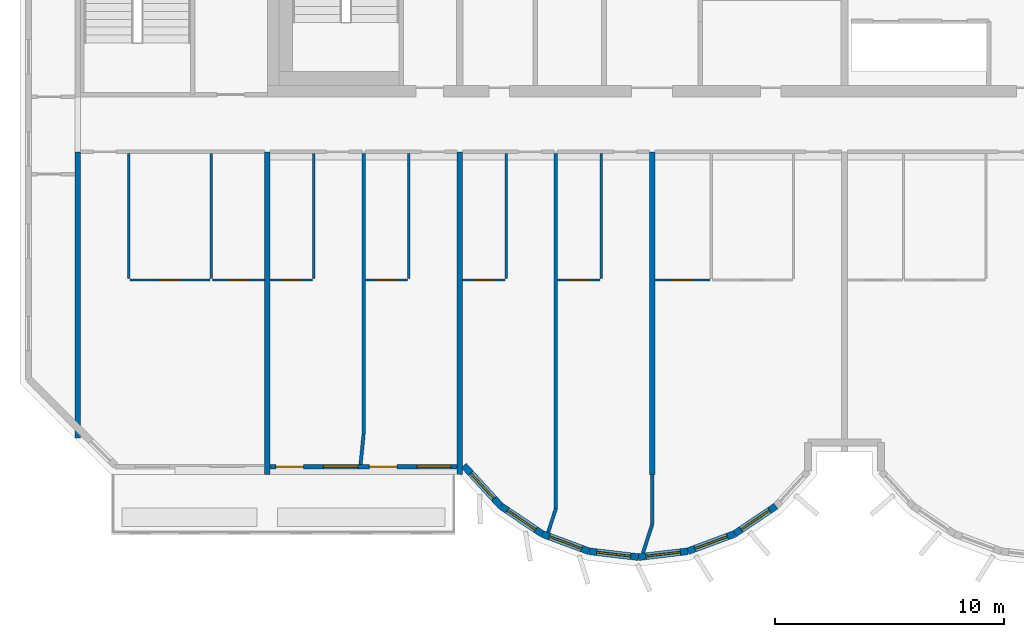
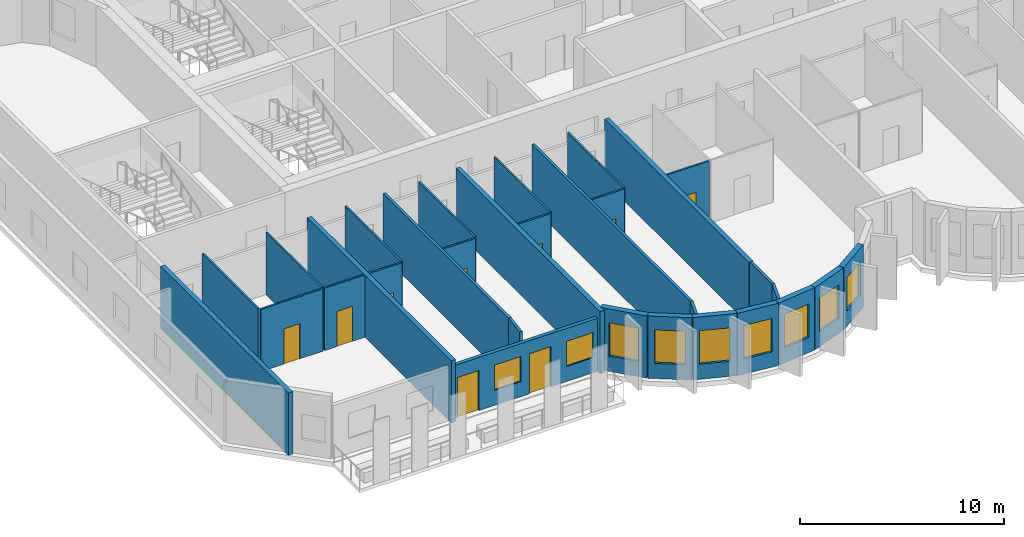
# One storey, part 2 of 12: 31 walls, 9 doors, 9 windows, 18 openings.
"""IFC4 building model written with IfcOpenShell, lengths in metres."""

from ifc_helpers import new_model, si_unit, direction, frame, frame_2d, origin, place, context, subcontext, project, spatial, rectangle, extrude, source, transform, mapped, material, layer, layer_set, type_object, element, fill, save


model = new_model("IFC4")

# Units and contexts
model_context = context("Model", 3, precision=1e-05, world=origin(), true_north=direction((0.0, 1.0)))
body_context = subcontext(model_context, "Body", "Model", "MODEL_VIEW")
ifc_project = project(units=[si_unit("LENGTHUNIT", "METRE"), si_unit("AREAUNIT", "SQUARE_METRE"), si_unit("VOLUMEUNIT", "CUBIC_METRE"), si_unit("PLANEANGLEUNIT", "RADIAN"), si_unit("MASSUNIT", "GRAM", prefix="KILO")], contexts=[model_context])

# Site, building, storey
site_placement = place(None, origin())
site = spatial("IfcSite", under=ifc_project, at=site_placement, CompositionType="ELEMENT")
building_placement = place(site_placement, origin())
building = spatial("IfcBuilding", under=site, at=building_placement, Name="Vanashikhar Sky Hotel", CompositionType="ELEMENT")
storey_placement = place(building_placement, frame((0.0, 0.0, 293.699951171875)))
storey = spatial("IfcBuildingStorey", under=building, at=storey_placement, Name="L70", CompositionType="ELEMENT", Elevation=293.699951171875)

# Walls
ifc_material_1 = material(Name="Concrete M50", Category="concrete")
ifc_layer_1 = layer(ifc_material_1, 0.25)
ifc_layer_set_1 = layer_set([ifc_layer_1], Name="RC shear wall 250 Concrete M50")
wall_type_1 = type_object("IfcWallType", Name="RC shear wall 250 Concrete M50", PredefinedType="SHEAR", material=ifc_layer_set_1)
shared_shape_1 = source(origin(), body_context, "Body", "SweptSolid", [
    extrude(rectangle(XDim=12.5, YDim=0.25, at=frame_2d((6.25, 0.0))), origin(), (0.0, 0.0, 1.0), 3.719970703125),
])
wall_1_placement = place(storey_placement, frame((16.925048828125, 7.10009765625, 0.0), z_axis=(0.0, 0.0, 1.0), x_axis=(0.0, 1.0, 0.0)))
element("IfcWall", 1, at=wall_1_placement, inside=storey, type_object=wall_type_1, Name="CW-L70-XW03-1", PredefinedType="SHEAR", context=body_context, shape_type="MappedRepresentation", body=[
    mapped(shared_shape_1, transform((0.0, 0.0, 0.0), scale=1.0)),
])
shared_shape_2 = source(origin(), body_context, "Body", "SweptSolid", [
    extrude(rectangle(XDim=14.10009765625, YDim=0.25, at=frame_2d((7.050048828125, 0.0))), origin(), (0.0, 0.0, 1.0), 3.719970703125),
])
for number, where, z_axis, x_axis, name in (
    (2, (25.199951171875, 5.5, 0.0), (0.0, 0.0, 1.0), (0.0, 1.0, 0.0), "CW-L70-XW04-1"),
    (3, (33.60009765625, 5.5, 0.0), (0.0, 0.0, 1.0), (0.0, 1.0, 0.0), "CW-L70-XW05-1"),
    (4, (42.0, 5.5, 0.0), (0.0, 0.0, 1.0), (0.0, 1.0, 0.0), "CW-L70-XW06-1"),
):
    element("IfcWall", number, at=place(storey_placement, frame(where, z_axis=z_axis, x_axis=x_axis)), inside=storey, type_object=wall_type_1, Name=name, PredefinedType="SHEAR", context=body_context, shape_type="MappedRepresentation", body=[
        mapped(shared_shape_2, transform((0.0, 0.0, 0.0), scale=1.0)),
    ])

# Wall, openings, windows, doors
ifc_layer_2 = layer(ifc_material_1, 0.199951171875)
ifc_layer_set_2 = layer_set([ifc_layer_2], Name="Front window wall 200")
wall_type_2 = type_object("IfcWallType", Name="Front window wall 200", PredefinedType="SOLIDWALL", material=ifc_layer_set_2)
shared_shape_3 = source(origin(), body_context, "Body", "SweptSolid", [
    extrude(rectangle(XDim=8.150146484375, YDim=0.199951171875, at=frame_2d((4.0751953125, 0.0))), origin(), (0.0, 0.0, 1.0), 3.170166015625),
])
wall_2_placement = place(storey_placement, frame((25.324951171875, 5.85009765625, 0.0), z_axis=(0.0, 0.0, 1.0), x_axis=(1.0, 0.0, 0.0)))
wall_2 = element("IfcWall", 5, at=wall_2_placement, inside=storey, type_object=wall_type_2, Name="Front window wall", PredefinedType="SOLIDWALL", context=body_context, shape_type="MappedRepresentation", body=[
    mapped(shared_shape_3, transform((0.0, 0.0, 0.0), scale=1.0)),
])
shared_shape_4 = source(origin(), body_context, "Body", "SweptSolid", [
    extrude(rectangle(XDim=1.199951171875, YDim=2.39990234375, at=frame_2d((0.60009765625, 1.199951171875))), frame((0.0, 0.10986328125, 0.0), z_axis=(0.0, -1.0, 0.0), x_axis=(1.0, 0.0, 0.0)), (0.0, 0.0, 1.0), 0.219970703125),
])
opening_1_placement = place(wall_2_placement, frame((0.25, 0.0, 0.0)))
opening_1 = element("IfcOpeningElement", 6, at=opening_1_placement, cuts=wall_2, Name="Opening BD-01", PredefinedType="OPENING", context=body_context, shape_type="MappedRepresentation", body=[
    mapped(shared_shape_4, transform((0.0, 0.0, 0.0), scale=1.0)),
])
shared_shape_5 = source(origin(), body_context, "Body", "SweptSolid", [
    extrude(rectangle(XDim=1.5, YDim=1.5, at=frame_2d((0.75, 0.75))), frame((0.0, 0.10986328125, 0.0), z_axis=(0.0, -1.0, 0.0), x_axis=(1.0, 0.0, 0.0)), (0.0, 0.0, 1.0), 0.219970703125),
])
opening_2_placement = place(wall_2_placement, frame((2.324951171875, 0.0, 0.89990234375)))
opening_2 = element("IfcOpeningElement", 7, at=opening_2_placement, cuts=wall_2, Name="Opening WN-1", PredefinedType="OPENING", context=body_context, shape_type="MappedRepresentation", body=[
    mapped(shared_shape_5, transform((0.0, 0.0, 0.0), scale=1.0)),
])
opening_3_placement = place(wall_2_placement, frame((4.324951171875, 0.0, 0.0)))
opening_3 = element("IfcOpeningElement", 8, at=opening_3_placement, cuts=wall_2, Name="Opening BD-02", PredefinedType="OPENING", context=body_context, shape_type="MappedRepresentation", body=[
    mapped(shared_shape_4, transform((0.0, 0.0, 0.0), scale=1.0)),
])
opening_4_placement = place(wall_2_placement, frame((6.39990234375, 0.0, 0.89990234375)))
opening_4 = element("IfcOpeningElement", 9, at=opening_4_placement, cuts=wall_2, Name="Opening WN-1", PredefinedType="OPENING", context=body_context, shape_type="MappedRepresentation", body=[
    mapped(shared_shape_5, transform((0.0, 0.0, 0.0), scale=1.0)),
])
ifc_material_2 = material(Name="Glass", Category="glass")
window_type_1 = type_object("IfcWindowType", Name="Window 1500 x 1500", PartitioningType="SINGLE_PANEL", PredefinedType="WINDOW", material=ifc_material_2)
shared_shape_6 = source(origin(), body_context, "Body", "SweptSolid", [
    extrude(rectangle(XDim=1.5, YDim=1.5, at=frame_2d((0.75, 0.75))), frame((0.0, 0.030029296875, 0.0), z_axis=(0.0, -1.0, 0.0), x_axis=(1.0, 0.0, 0.0)), (0.0, 0.0, 1.0), 0.06005859375),
])
window_1_placement = place(opening_2_placement, origin())
window_1 = element("IfcWindow", 10, at=window_1_placement, inside=storey, type_object=window_type_1, Name="Window WN-1", OverallHeight=1.5, OverallWidth=1.5, PartitioningType="SINGLE_PANEL", PredefinedType="WINDOW", context=body_context, shape_type="MappedRepresentation", body=[
    mapped(shared_shape_6, transform((0.0, 0.0, 0.0), scale=1.0)),
])
fill(opening_2, window_1)
window_2_placement = place(opening_4_placement, origin())
window_2 = element("IfcWindow", 11, at=window_2_placement, inside=storey, type_object=window_type_1, Name="Window WN-1", OverallHeight=1.5, OverallWidth=1.5, PartitioningType="SINGLE_PANEL", PredefinedType="WINDOW", context=body_context, shape_type="MappedRepresentation", body=[
    mapped(shared_shape_6, transform((0.0, 0.0, 0.0), scale=1.0)),
])
fill(opening_4, window_2)
ifc_material_3 = material(Name="Aluminium", Category="aluminium")
door_type_1 = type_object("IfcDoorType", Name="Balcony sliding door 1200 x 2400", OperationType="NOTDEFINED", PredefinedType="DOOR", material=ifc_material_3)
shared_shape_7 = source(origin(), body_context, "Body", "SweptSolid", [
    extrude(rectangle(XDim=1.199951171875, YDim=2.39990234375, at=frame_2d((0.60009765625, 1.199951171875))), frame((0.0, 0.02490234375, 0.0), z_axis=(0.0, -1.0, 0.0), x_axis=(1.0, 0.0, 0.0)), (0.0, 0.0, 1.0), 0.050048828125),
])
door_1_placement = place(opening_1_placement, origin())
door_1 = element("IfcDoor", 12, at=door_1_placement, inside=storey, type_object=door_type_1, Name="Balcony sliding door", OperationType="SLIDING_TO_LEFT", OverallHeight=2.39990234375, OverallWidth=1.199951171875, PredefinedType="DOOR", context=body_context, shape_type="MappedRepresentation", body=[
    mapped(shared_shape_7, transform((0.0, 0.0, 0.0), scale=1.0)),
])
fill(opening_1, door_1)
door_2_placement = place(opening_3_placement, origin())
door_2 = element("IfcDoor", 13, at=door_2_placement, inside=storey, type_object=door_type_1, Name="Balcony sliding door", OperationType="SLIDING_TO_RIGHT", OverallHeight=2.39990234375, OverallWidth=1.199951171875, PredefinedType="DOOR", context=body_context, shape_type="MappedRepresentation", body=[
    mapped(shared_shape_7, transform((0.0, 0.0, 0.0), scale=1.0)),
])
fill(opening_3, door_2)

# Wall, opening, window
ifc_layer_3 = layer(ifc_material_1, 0.300048828125)
ifc_layer_set_3 = layer_set([ifc_layer_3], Name="Lobe wall 300")
wall_type_3 = type_object("IfcWallType", Name="Lobe wall 300", PredefinedType="SOLIDWALL", material=ifc_layer_set_3)
shared_shape_8 = source(origin(), body_context, "Body", "SweptSolid", [
    extrude(rectangle(XDim=2.398193359375, YDim=0.300048828125, at=frame_2d((1.19921875, 0.0))), origin(), (0.0, 0.0, 1.0), 3.719970703125),
])
wall_3_placement = place(storey_placement, frame((33.776123046875, 5.89990234375, 0.0), z_axis=(0.0, 0.0, 1.0), x_axis=(0.675374189419, -0.737475222815, 0.0)))
wall_3 = element("IfcWall", 14, at=wall_3_placement, inside=storey, type_object=wall_type_3, Name="Lobe wall", PredefinedType="SOLIDWALL", context=body_context, shape_type="MappedRepresentation", body=[
    mapped(shared_shape_8, transform((0.0, 0.0, 0.0), scale=1.0)),
])
shared_shape_9 = source(origin(), body_context, "Body", "SweptSolid", [
    extrude(rectangle(XDim=1.5, YDim=2.0, at=frame_2d((0.75, 1.0))), frame((0.0, 0.16015625, 0.0), z_axis=(0.0, -1.0, 0.0), x_axis=(1.0, 0.0, 0.0)), (0.0, 0.0, 1.0), 0.320068359375),
])
opening_5_placement = place(wall_3_placement, frame((0.44921875, 0.0, 0.89990234375)))
opening_5 = element("IfcOpeningElement", 15, at=opening_5_placement, cuts=wall_3, Name="Opening WN-2", PredefinedType="OPENING", context=body_context, shape_type="MappedRepresentation", body=[
    mapped(shared_shape_9, transform((0.0, 0.0, 0.0), scale=1.0)),
])
window_type_2 = type_object("IfcWindowType", Name="Lobe window 1500 x 2000", PartitioningType="SINGLE_PANEL", PredefinedType="WINDOW", material=ifc_material_2)
shared_shape_10 = source(origin(), body_context, "Body", "SweptSolid", [
    extrude(rectangle(XDim=1.5, YDim=2.0, at=frame_2d((0.75, 1.0))), frame((0.0, 0.030029296875, 0.0), z_axis=(0.0, -1.0, 0.0), x_axis=(1.0, 0.0, 0.0)), (0.0, 0.0, 1.0), 0.06005859375),
])
window_3_placement = place(opening_5_placement, origin())
window_3 = element("IfcWindow", 16, at=window_3_placement, inside=storey, type_object=window_type_2, Name="Window WN-2", OverallHeight=2.0, OverallWidth=1.5, PartitioningType="SINGLE_PANEL", PredefinedType="WINDOW", context=body_context, shape_type="MappedRepresentation", body=[
    mapped(shared_shape_10, transform((0.0, 0.0, 0.0), scale=1.0)),
])
fill(opening_5, window_3)

shared_shape_11 = source(origin(), body_context, "Body", "SweptSolid", [
    extrude(rectangle(XDim=2.17578125, YDim=0.300048828125, at=frame_2d((1.087890625, 0.0))), origin(), (0.0, 0.0, 1.0), 3.719970703125),
])
wall_4_placement = place(storey_placement, frame((35.395751953125, 4.13134765625, 0.0), z_axis=(0.0, 0.0, 1.0), x_axis=(0.829590746428, -0.558371913192, 0.0)))
wall_4 = element("IfcWall", 17, at=wall_4_placement, inside=storey, type_object=wall_type_3, Name="Lobe wall", PredefinedType="SOLIDWALL", context=body_context, shape_type="MappedRepresentation", body=[
    mapped(shared_shape_11, transform((0.0, 0.0, 0.0), scale=1.0)),
])
opening_6_placement = place(wall_4_placement, frame((0.337890625, 0.0, 0.89990234375)))
opening_6 = element("IfcOpeningElement", 18, at=opening_6_placement, cuts=wall_4, Name="Opening WN-2", PredefinedType="OPENING", context=body_context, shape_type="MappedRepresentation", body=[
    mapped(shared_shape_9, transform((0.0, 0.0, 0.0), scale=1.0)),
])
window_4_placement = place(opening_6_placement, origin())
window_4 = element("IfcWindow", 19, at=window_4_placement, inside=storey, type_object=window_type_2, Name="Window WN-2", OverallHeight=2.0, OverallWidth=1.5, PartitioningType="SINGLE_PANEL", PredefinedType="WINDOW", context=body_context, shape_type="MappedRepresentation", body=[
    mapped(shared_shape_10, transform((0.0, 0.0, 0.0), scale=1.0)),
])
fill(opening_6, window_4)

wall_5_placement = place(storey_placement, frame((37.20068359375, 2.91650390625, 0.0), z_axis=(0.0, 0.0, 1.0), x_axis=(0.93754555999, -0.347862505801, 0.0)))
wall_5 = element("IfcWall", 20, at=wall_5_placement, inside=storey, type_object=wall_type_3, Name="Lobe wall", PredefinedType="SOLIDWALL", context=body_context, shape_type="MappedRepresentation", body=[
    mapped(shared_shape_11, transform((0.0, 0.0, 0.0), scale=1.0)),
])
opening_7_placement = place(wall_5_placement, frame((0.337890625, 0.0, 0.89990234375)))
opening_7 = element("IfcOpeningElement", 21, at=opening_7_placement, cuts=wall_5, Name="Opening WN-2", PredefinedType="OPENING", context=body_context, shape_type="MappedRepresentation", body=[
    mapped(shared_shape_9, transform((0.0, 0.0, 0.0), scale=1.0)),
])
window_5_placement = place(opening_7_placement, origin())
window_5 = element("IfcWindow", 22, at=window_5_placement, inside=storey, type_object=window_type_2, Name="Window WN-2", OverallHeight=2.0, OverallWidth=1.5, PartitioningType="SINGLE_PANEL", PredefinedType="WINDOW", context=body_context, shape_type="MappedRepresentation", body=[
    mapped(shared_shape_10, transform((0.0, 0.0, 0.0), scale=1.0)),
])
fill(opening_7, window_5)

wall_6_placement = place(storey_placement, frame((45.59912109375, 2.91650390625, 0.0), z_axis=(0.0, 0.0, 1.0), x_axis=(0.829625727223, 0.558319937607, 0.0)))
wall_6 = element("IfcWall", 23, at=wall_6_placement, inside=storey, type_object=wall_type_3, Name="Lobe wall", PredefinedType="SOLIDWALL", context=body_context, shape_type="MappedRepresentation", body=[
    mapped(shared_shape_11, transform((0.0, 0.0, 0.0), scale=1.0)),
])
opening_8_placement = place(wall_6_placement, frame((0.337890625, 0.0, 0.89990234375)))
opening_8 = element("IfcOpeningElement", 24, at=opening_8_placement, cuts=wall_6, Name="Opening WN-2", PredefinedType="OPENING", context=body_context, shape_type="MappedRepresentation", body=[
    mapped(shared_shape_9, transform((0.0, 0.0, 0.0), scale=1.0)),
])
window_6_placement = place(opening_8_placement, origin())
window_6 = element("IfcWindow", 25, at=window_6_placement, inside=storey, type_object=window_type_2, Name="Window WN-2", OverallHeight=2.0, OverallWidth=1.5, PartitioningType="SINGLE_PANEL", PredefinedType="WINDOW", context=body_context, shape_type="MappedRepresentation", body=[
    mapped(shared_shape_10, transform((0.0, 0.0, 0.0), scale=1.0)),
])
fill(opening_8, window_6)

shared_shape_12 = source(origin(), body_context, "Body", "SweptSolid", [
    extrude(rectangle(XDim=2.174560546875, YDim=0.300048828125, at=frame_2d((1.08740234375, 0.0))), origin(), (0.0, 0.0, 1.0), 3.719970703125),
])
wall_7_placement = place(storey_placement, frame((39.240478515625, 2.15966796875, 0.0), z_axis=(0.0, 0.0, 1.0), x_axis=(0.993001132889, -0.118104826659, 0.0)))
wall_7 = element("IfcWall", 26, at=wall_7_placement, inside=storey, type_object=wall_type_3, Name="Lobe wall", PredefinedType="SOLIDWALL", context=body_context, shape_type="MappedRepresentation", body=[
    mapped(shared_shape_12, transform((0.0, 0.0, 0.0), scale=1.0)),
])
opening_9_placement = place(wall_7_placement, frame((0.33740234375, 0.0, 0.89990234375)))
opening_9 = element("IfcOpeningElement", 27, at=opening_9_placement, cuts=wall_7, Name="Opening WN-2", PredefinedType="OPENING", context=body_context, shape_type="MappedRepresentation", body=[
    mapped(shared_shape_9, transform((0.0, 0.0, 0.0), scale=1.0)),
])
window_7_placement = place(opening_9_placement, origin())
window_7 = element("IfcWindow", 28, at=window_7_placement, inside=storey, type_object=window_type_2, Name="Window WN-2", OverallHeight=2.0, OverallWidth=1.5, PartitioningType="SINGLE_PANEL", PredefinedType="WINDOW", context=body_context, shape_type="MappedRepresentation", body=[
    mapped(shared_shape_10, transform((0.0, 0.0, 0.0), scale=1.0)),
])
fill(opening_9, window_7)

shared_shape_13 = source(origin(), body_context, "Body", "SweptSolid", [
    extrude(rectangle(XDim=2.1748046875, YDim=0.300048828125, at=frame_2d((1.08740234375, 0.0))), origin(), (0.0, 0.0, 1.0), 3.719970703125),
])
wall_8_placement = place(storey_placement, frame((41.39990234375, 1.90283203125, 0.0), z_axis=(0.0, 0.0, 1.0), x_axis=(0.993002698611, 0.118091661648, 0.0)))
wall_8 = element("IfcWall", 29, at=wall_8_placement, inside=storey, type_object=wall_type_3, Name="Lobe wall", PredefinedType="SOLIDWALL", context=body_context, shape_type="MappedRepresentation", body=[
    mapped(shared_shape_13, transform((0.0, 0.0, 0.0), scale=1.0)),
])
opening_10_placement = place(wall_8_placement, frame((0.33740234375, 0.0, 0.89990234375)))
opening_10 = element("IfcOpeningElement", 30, at=opening_10_placement, cuts=wall_8, Name="Opening WN-2", PredefinedType="OPENING", context=body_context, shape_type="MappedRepresentation", body=[
    mapped(shared_shape_9, transform((0.0, 0.0, 0.0), scale=1.0)),
])
window_8_placement = place(opening_10_placement, origin())
window_8 = element("IfcWindow", 31, at=window_8_placement, inside=storey, type_object=window_type_2, Name="Window WN-2", OverallHeight=2.0, OverallWidth=1.5, PartitioningType="SINGLE_PANEL", PredefinedType="WINDOW", context=body_context, shape_type="MappedRepresentation", body=[
    mapped(shared_shape_10, transform((0.0, 0.0, 0.0), scale=1.0)),
])
fill(opening_10, window_8)

shared_shape_14 = source(origin(), body_context, "Body", "SweptSolid", [
    extrude(rectangle(XDim=2.175537109375, YDim=0.300048828125, at=frame_2d((1.087890625, 0.0))), origin(), (0.0, 0.0, 1.0), 3.719970703125),
])
wall_9_placement = place(storey_placement, frame((43.5595703125, 2.15966796875, 0.0), z_axis=(0.0, 0.0, 1.0), x_axis=(0.937531979054, 0.347899106424, 0.0)))
wall_9 = element("IfcWall", 32, at=wall_9_placement, inside=storey, type_object=wall_type_3, Name="Lobe wall", PredefinedType="SOLIDWALL", context=body_context, shape_type="MappedRepresentation", body=[
    mapped(shared_shape_14, transform((0.0, 0.0, 0.0), scale=1.0)),
])
opening_11_placement = place(wall_9_placement, frame((0.337890625, 0.0, 0.89990234375)))
opening_11 = element("IfcOpeningElement", 33, at=opening_11_placement, cuts=wall_9, Name="Opening WN-2", PredefinedType="OPENING", context=body_context, shape_type="MappedRepresentation", body=[
    mapped(shared_shape_9, transform((0.0, 0.0, 0.0), scale=1.0)),
])
window_9_placement = place(opening_11_placement, origin())
window_9 = element("IfcWindow", 34, at=window_9_placement, inside=storey, type_object=window_type_2, Name="Window WN-2", OverallHeight=2.0, OverallWidth=1.5, PartitioningType="SINGLE_PANEL", PredefinedType="WINDOW", context=body_context, shape_type="MappedRepresentation", body=[
    mapped(shared_shape_10, transform((0.0, 0.0, 0.0), scale=1.0)),
])
fill(opening_11, window_9)

# Wall, opening, door
ifc_material_4 = material(Name="Gypsum plasterboard partition")
ifc_layer_4 = layer(ifc_material_4, 0.10009765625)
ifc_layer_set_4 = layer_set([ifc_layer_4], Name="Wet room partition 100")
wall_type_4 = type_object("IfcWallType", Name="Wet room partition 100", PredefinedType="PARTITIONING", material=ifc_layer_set_4)
shared_shape_15 = source(origin(), body_context, "Body", "SweptSolid", [
    extrude(rectangle(XDim=3.5, YDim=0.10009765625, at=frame_2d((1.75, 0.0))), origin(), (0.0, 0.0, 1.0), 3.719970703125),
])
wall_10_placement = place(storey_placement, frame((19.199951171875, 14.0, 0.0), z_axis=(0.0, 0.0, 1.0), x_axis=(1.0, 0.0, 0.0)))
wall_10 = element("IfcWall", 35, at=wall_10_placement, inside=storey, type_object=wall_type_4, Name="W-L70-PW003", PredefinedType="PARTITIONING", context=body_context, shape_type="MappedRepresentation", body=[
    mapped(shared_shape_15, transform((0.0, 0.0, 0.0), scale=1.0)),
])
shared_shape_16 = source(origin(), body_context, "Body", "SweptSolid", [
    extrude(rectangle(XDim=0.89990234375, YDim=2.10009765625, at=frame_2d((0.449951171875, 1.050048828125))), frame((0.0, 0.06005859375, 0.0), z_axis=(0.0, -1.0, 0.0), x_axis=(1.0, 0.0, 0.0)), (0.0, 0.0, 1.0), 0.1201171875),
])
opening_12_placement = place(wall_10_placement, frame((1.300048828125, 0.0, 0.0)))
opening_12 = element("IfcOpeningElement", 36, at=opening_12_placement, cuts=wall_10, Name="Opening D-02", PredefinedType="OPENING", context=body_context, shape_type="MappedRepresentation", body=[
    mapped(shared_shape_16, transform((0.0, 0.0, 0.0), scale=1.0)),
])
ifc_material_5 = material(Name="Timber door", Category="wood")
door_type_2 = type_object("IfcDoorType", Name="Internal door 900", OperationType="NOTDEFINED", PredefinedType="DOOR", material=ifc_material_5)
shared_shape_17 = source(origin(), body_context, "Body", "SweptSolid", [
    extrude(rectangle(XDim=0.89990234375, YDim=2.10009765625, at=frame_2d((0.449951171875, 1.050048828125))), frame((0.0, 0.02490234375, 0.0), z_axis=(0.0, -1.0, 0.0), x_axis=(1.0, 0.0, 0.0)), (0.0, 0.0, 1.0), 0.050048828125),
])
door_3_placement = place(opening_12_placement, origin())
door_3 = element("IfcDoor", 37, at=door_3_placement, inside=storey, type_object=door_type_2, Name="D-L70-001", OperationType="SINGLE_SWING_LEFT", OverallHeight=2.10009765625, OverallWidth=0.89990234375, PredefinedType="DOOR", context=body_context, shape_type="MappedRepresentation", body=[
    mapped(shared_shape_17, transform((0.0, 0.0, 0.0), scale=1.0)),
])
fill(opening_12, door_3)

# Walls
ifc_layer_5 = layer(ifc_material_4, 0.14990234375)
ifc_layer_set_5 = layer_set([ifc_layer_5], Name="Corridor and demising partition 150")
wall_type_5 = type_object("IfcWallType", Name="Corridor and demising partition 150", PredefinedType="PARTITIONING", material=ifc_layer_set_5)
shared_shape_18 = source(origin(), body_context, "Body", "SweptSolid", [
    extrude(rectangle(XDim=2.177978515625, YDim=0.14990234375, at=frame_2d((1.0888671875, 0.0))), origin(), (0.0, 0.0, 1.0), 3.719970703125),
])
wall_11_placement = place(storey_placement, frame((42.0, 3.322021484375, 0.0), z_axis=(0.0, 0.0, 1.0), x_axis=(0.0, 1.0, 0.0)))
element("IfcWall", 38, at=wall_11_placement, inside=storey, type_object=wall_type_5, Name="W-L70-PW047", PredefinedType="PARTITIONING", context=body_context, shape_type="MappedRepresentation", body=[
    mapped(shared_shape_18, transform((0.0, 0.0, 0.0), scale=1.0)),
])
shared_shape_19 = source(origin(), body_context, "Body", "SweptSolid", [
    extrude(rectangle(XDim=1.308349609375, YDim=0.14990234375, at=frame_2d((0.654296875, 0.0))), origin(), (0.0, 0.0, 1.0), 3.719970703125),
])
wall_12_placement = place(storey_placement, frame((41.597900390625, 2.076904296875, 0.0), z_axis=(0.0, 0.0, 1.0), x_axis=(0.307313512187, 0.951608325535, 0.0)))
element("IfcWall", 39, at=wall_12_placement, inside=storey, type_object=wall_type_5, Name="W-L70-PW047B0", PredefinedType="PARTITIONING", context=body_context, shape_type="MappedRepresentation", body=[
    mapped(shared_shape_19, transform((0.0, 0.0, 0.0), scale=1.0)),
])
shared_shape_20 = source(origin(), body_context, "Body", "SweptSolid", [
    extrude(rectangle(XDim=5.449951171875, YDim=0.10009765625, at=frame_2d((2.72509765625, 0.0))), origin(), (0.0, 0.0, 1.0), 3.719970703125),
])
for number, where, z_axis, x_axis, name in (
    (40, (19.14990234375, 14.074951171875, 0.0), (0.0, 0.0, 1.0), (0.0, 1.0, 0.0), "W-L70-PW001"),
    (41, (22.75, 14.074951171875, 0.0), (0.0, 0.0, 1.0), (0.0, 1.0, 0.0), "W-L70-PW002"),
    (42, (27.22509765625, 14.074951171875, 0.0), (0.0, 0.0, 1.0), (0.0, 1.0, 0.0), "W-L70-PW006"),
    (43, (31.375, 14.074951171875, 0.0), (0.0, 0.0, 1.0), (0.0, 1.0, 0.0), "W-L70-PW009"),
    (44, (35.625, 14.074951171875, 0.0), (0.0, 0.0, 1.0), (0.0, 1.0, 0.0), "W-L70-PW013"),
    (45, (39.77490234375, 14.074951171875, 0.0), (0.0, 0.0, 1.0), (0.0, 1.0, 0.0), "W-L70-PW016"),
):
    element("IfcWall", number, at=place(storey_placement, frame(where, z_axis=z_axis, x_axis=x_axis)), inside=storey, type_object=wall_type_4, Name=name, PredefinedType="PARTITIONING", context=body_context, shape_type="MappedRepresentation", body=[
        mapped(shared_shape_20, transform((0.0, 0.0, 0.0), scale=1.0)),
    ])

# Wall, opening, door
shared_shape_21 = source(origin(), body_context, "Body", "SweptSolid", [
    extrude(rectangle(XDim=2.27490234375, YDim=0.10009765625, at=frame_2d((1.137451171875, 0.0))), origin(), (0.0, 0.0, 1.0), 3.719970703125),
])
wall_13_placement = place(storey_placement, frame((22.800048828125, 14.0, 0.0), z_axis=(0.0, 0.0, 1.0), x_axis=(1.0, 0.0, 0.0)))
wall_13 = element("IfcWall", 46, at=wall_13_placement, inside=storey, type_object=wall_type_4, Name="W-L70-PW004", PredefinedType="PARTITIONING", context=body_context, shape_type="MappedRepresentation", body=[
    mapped(shared_shape_21, transform((0.0, 0.0, 0.0), scale=1.0)),
])
opening_13_placement = place(wall_13_placement, frame((0.68798828125, 0.0, 0.0)))
opening_13 = element("IfcOpeningElement", 47, at=opening_13_placement, cuts=wall_13, Name="Opening D-02", PredefinedType="OPENING", context=body_context, shape_type="MappedRepresentation", body=[
    mapped(shared_shape_16, transform((0.0, 0.0, 0.0), scale=1.0)),
])
door_4_placement = place(opening_13_placement, origin())
door_4 = element("IfcDoor", 48, at=door_4_placement, inside=storey, type_object=door_type_2, Name="D-L70-002", OperationType="SINGLE_SWING_LEFT", OverallHeight=2.10009765625, OverallWidth=0.89990234375, PredefinedType="DOOR", context=body_context, shape_type="MappedRepresentation", body=[
    mapped(shared_shape_17, transform((0.0, 0.0, 0.0), scale=1.0)),
])
fill(opening_13, door_4)

shared_shape_22 = source(origin(), body_context, "Body", "SweptSolid", [
    extrude(rectangle(XDim=1.85009765625, YDim=0.10009765625, at=frame_2d((0.925048828125, 0.0))), origin(), (0.0, 0.0, 1.0), 3.719970703125),
])
wall_14_placement = place(storey_placement, frame((25.324951171875, 14.0, 0.0), z_axis=(0.0, 0.0, 1.0), x_axis=(1.0, 0.0, 0.0)))
wall_14 = element("IfcWall", 49, at=wall_14_placement, inside=storey, type_object=wall_type_4, Name="W-L70-PW007", PredefinedType="PARTITIONING", context=body_context, shape_type="MappedRepresentation", body=[
    mapped(shared_shape_22, transform((0.0, 0.0, 0.0), scale=1.0)),
])
opening_14_placement = place(wall_14_placement, frame((0.47509765625, 0.0, 0.0)))
opening_14 = element("IfcOpeningElement", 50, at=opening_14_placement, cuts=wall_14, Name="Opening D-02", PredefinedType="OPENING", context=body_context, shape_type="MappedRepresentation", body=[
    mapped(shared_shape_16, transform((0.0, 0.0, 0.0), scale=1.0)),
])
door_5_placement = place(opening_14_placement, origin())
door_5 = element("IfcDoor", 51, at=door_5_placement, inside=storey, type_object=door_type_2, Name="D-L70-004", OperationType="SINGLE_SWING_RIGHT", OverallHeight=2.10009765625, OverallWidth=0.89990234375, PredefinedType="DOOR", context=body_context, shape_type="MappedRepresentation", body=[
    mapped(shared_shape_17, transform((0.0, 0.0, 0.0), scale=1.0)),
])
fill(opening_14, door_5)

wall_15_placement = place(storey_placement, frame((37.875, 14.0, 0.0), z_axis=(0.0, 0.0, 1.0), x_axis=(1.0, 0.0, 0.0)))
wall_15 = element("IfcWall", 52, at=wall_15_placement, inside=storey, type_object=wall_type_4, Name="W-L70-PW017", PredefinedType="PARTITIONING", context=body_context, shape_type="MappedRepresentation", body=[
    mapped(shared_shape_22, transform((0.0, 0.0, 0.0), scale=1.0)),
])
opening_15_placement = place(wall_15_placement, frame((0.47509765625, 0.0, 0.0)))
opening_15 = element("IfcOpeningElement", 53, at=opening_15_placement, cuts=wall_15, Name="Opening D-02", PredefinedType="OPENING", context=body_context, shape_type="MappedRepresentation", body=[
    mapped(shared_shape_16, transform((0.0, 0.0, 0.0), scale=1.0)),
])
door_6_placement = place(opening_15_placement, origin())
door_6 = element("IfcDoor", 54, at=door_6_placement, inside=storey, type_object=door_type_2, Name="D-L70-010", OperationType="SINGLE_SWING_RIGHT", OverallHeight=2.10009765625, OverallWidth=0.89990234375, PredefinedType="DOOR", context=body_context, shape_type="MappedRepresentation", body=[
    mapped(shared_shape_17, transform((0.0, 0.0, 0.0), scale=1.0)),
])
fill(opening_15, door_6)

shared_shape_23 = source(origin(), body_context, "Body", "SweptSolid", [
    extrude(rectangle(XDim=1.849853515625, YDim=0.10009765625, at=frame_2d((0.9248046875, 0.0))), origin(), (0.0, 0.0, 1.0), 3.719970703125),
])
wall_16_placement = place(storey_placement, frame((29.47509765625, 14.0, 0.0), z_axis=(0.0, 0.0, 1.0), x_axis=(1.0, 0.0, 0.0)))
wall_16 = element("IfcWall", 55, at=wall_16_placement, inside=storey, type_object=wall_type_4, Name="W-L70-PW010", PredefinedType="PARTITIONING", context=body_context, shape_type="MappedRepresentation", body=[
    mapped(shared_shape_23, transform((0.0, 0.0, 0.0), scale=1.0)),
])
opening_16_placement = place(wall_16_placement, frame((0.47509765625, 0.0, 0.0)))
opening_16 = element("IfcOpeningElement", 56, at=opening_16_placement, cuts=wall_16, Name="Opening D-02", PredefinedType="OPENING", context=body_context, shape_type="MappedRepresentation", body=[
    mapped(shared_shape_16, transform((0.0, 0.0, 0.0), scale=1.0)),
])
door_7_placement = place(opening_16_placement, origin())
door_7 = element("IfcDoor", 57, at=door_7_placement, inside=storey, type_object=door_type_2, Name="D-L70-006", OperationType="SINGLE_SWING_RIGHT", OverallHeight=2.10009765625, OverallWidth=0.89990234375, PredefinedType="DOOR", context=body_context, shape_type="MappedRepresentation", body=[
    mapped(shared_shape_17, transform((0.0, 0.0, 0.0), scale=1.0)),
])
fill(opening_16, door_7)

wall_17_placement = place(storey_placement, frame((33.72509765625, 14.0, 0.0), z_axis=(0.0, 0.0, 1.0), x_axis=(1.0, 0.0, 0.0)))
wall_17 = element("IfcWall", 58, at=wall_17_placement, inside=storey, type_object=wall_type_4, Name="W-L70-PW014", PredefinedType="PARTITIONING", context=body_context, shape_type="MappedRepresentation", body=[
    mapped(shared_shape_23, transform((0.0, 0.0, 0.0), scale=1.0)),
])
opening_17_placement = place(wall_17_placement, frame((0.47509765625, 0.0, 0.0)))
opening_17 = element("IfcOpeningElement", 59, at=opening_17_placement, cuts=wall_17, Name="Opening D-02", PredefinedType="OPENING", context=body_context, shape_type="MappedRepresentation", body=[
    mapped(shared_shape_16, transform((0.0, 0.0, 0.0), scale=1.0)),
])
door_8_placement = place(opening_17_placement, origin())
door_8 = element("IfcDoor", 60, at=door_8_placement, inside=storey, type_object=door_type_2, Name="D-L70-008", OperationType="SINGLE_SWING_RIGHT", OverallHeight=2.10009765625, OverallWidth=0.89990234375, PredefinedType="DOOR", context=body_context, shape_type="MappedRepresentation", body=[
    mapped(shared_shape_17, transform((0.0, 0.0, 0.0), scale=1.0)),
])
fill(opening_17, door_8)

# Walls
shared_shape_24 = source(origin(), body_context, "Body", "SweptSolid", [
    extrude(rectangle(XDim=12.27490234375, YDim=0.14990234375, at=frame_2d((6.137451171875, 0.0))), origin(), (0.0, 0.0, 1.0), 3.719970703125),
])
wall_18_placement = place(storey_placement, frame((29.39990234375, 7.25, 0.0), z_axis=(0.0, 0.0, 1.0), x_axis=(0.0, 1.0, 0.0)))
element("IfcWall", 61, at=wall_18_placement, inside=storey, type_object=wall_type_5, Name="W-L70-PW012", PredefinedType="PARTITIONING", context=body_context, shape_type="MappedRepresentation", body=[
    mapped(shared_shape_24, transform((0.0, 0.0, 0.0), scale=1.0)),
])
shared_shape_25 = source(origin(), body_context, "Body", "SweptSolid", [
    extrude(rectangle(XDim=15.497802734375, YDim=0.14990234375, at=frame_2d((7.7490234375, 0.0))), origin(), (0.0, 0.0, 1.0), 3.719970703125),
])
wall_19_placement = place(storey_placement, frame((37.800048828125, 4.027099609375, 0.0), z_axis=(0.0, 0.0, 1.0), x_axis=(0.0, 1.0, 0.0)))
element("IfcWall", 62, at=wall_19_placement, inside=storey, type_object=wall_type_5, Name="W-L70-PW019", PredefinedType="PARTITIONING", context=body_context, shape_type="MappedRepresentation", body=[
    mapped(shared_shape_25, transform((0.0, 0.0, 0.0), scale=1.0)),
])

# Wall, opening, door
shared_shape_26 = source(origin(), body_context, "Body", "SweptSolid", [
    extrude(rectangle(XDim=2.39990234375, YDim=0.10009765625, at=frame_2d((1.199951171875, 0.0))), origin(), (0.0, 0.0, 1.0), 3.719970703125),
])
wall_20_placement = place(storey_placement, frame((42.125, 14.0, 0.0), z_axis=(0.0, 0.0, 1.0), x_axis=(1.0, 0.0, 0.0)))
wall_20 = element("IfcWall", 63, at=wall_20_placement, inside=storey, type_object=wall_type_4, Name="W-L70-PW023", PredefinedType="PARTITIONING", context=body_context, shape_type="MappedRepresentation", body=[
    mapped(shared_shape_26, transform((0.0, 0.0, 0.0), scale=1.0)),
])
opening_18_placement = place(wall_20_placement, frame((0.75, 0.0, 0.0)))
opening_18 = element("IfcOpeningElement", 64, at=opening_18_placement, cuts=wall_20, Name="Opening D-02", PredefinedType="OPENING", context=body_context, shape_type="MappedRepresentation", body=[
    mapped(shared_shape_16, transform((0.0, 0.0, 0.0), scale=1.0)),
])
door_9_placement = place(opening_18_placement, origin())
door_9 = element("IfcDoor", 65, at=door_9_placement, inside=storey, type_object=door_type_2, Name="D-L70-013", OperationType="SINGLE_SWING_RIGHT", OverallHeight=2.10009765625, OverallWidth=0.89990234375, PredefinedType="DOOR", context=body_context, shape_type="MappedRepresentation", body=[
    mapped(shared_shape_17, transform((0.0, 0.0, 0.0), scale=1.0)),
])
fill(opening_18, door_9)

# Walls
shared_shape_27 = source(origin(), body_context, "Body", "SweptSolid", [
    extrude(rectangle(XDim=1.306640625, YDim=0.14990234375, at=frame_2d((0.6533203125, 0.0))), origin(), (0.0, 0.0, 1.0), 3.719970703125),
])
wall_21_placement = place(storey_placement, frame((29.27001953125, 5.949951171875, 0.0), z_axis=(0.0, 0.0, 1.0), x_axis=(0.099411212066, 0.995046436562, 0.0)))
element("IfcWall", 66, at=wall_21_placement, inside=storey, type_object=wall_type_5, Name="W-L70-PW012B0", PredefinedType="PARTITIONING", context=body_context, shape_type="MappedRepresentation", body=[
    mapped(shared_shape_27, transform((0.0, 0.0, 0.0), scale=1.0)),
])
shared_shape_28 = source(origin(), body_context, "Body", "SweptSolid", [
    extrude(rectangle(XDim=1.100830078125, YDim=0.14990234375, at=frame_2d((0.55029296875, 0.0))), origin(), (0.0, 0.0, 1.0), 3.719970703125),
])
wall_22_placement = place(storey_placement, frame((37.45703125, 2.98095703125, 0.0), z_axis=(0.0, 0.0, 1.0), x_axis=(0.311567081539, 0.950224159712, 0.0)))
element("IfcWall", 67, at=wall_22_placement, inside=storey, type_object=wall_type_5, Name="W-L70-PW019B0", PredefinedType="PARTITIONING", context=body_context, shape_type="MappedRepresentation", body=[
    mapped(shared_shape_28, transform((0.0, 0.0, 0.0), scale=1.0)),
])

save(model, "model.ifc")
